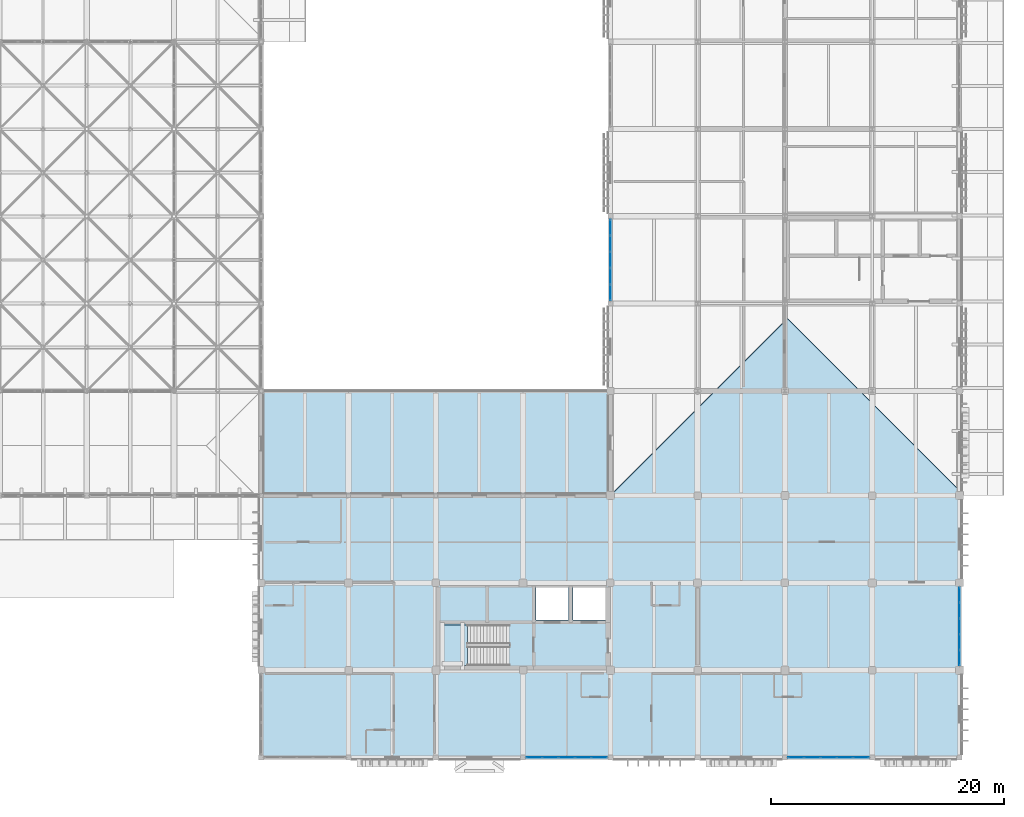
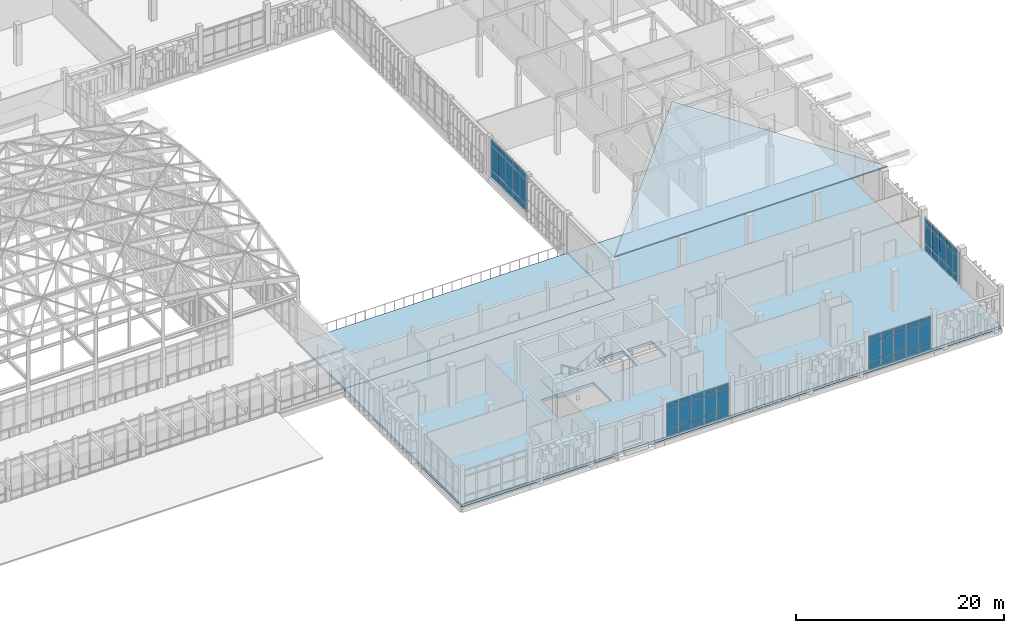
# One storey, part 91 of 131: 60 plates, 4 slabs, 6 elements without a shape of their own.
"""IFC4 building model written with IfcOpenShell, lengths in metres."""

from ifc_helpers import new_model, si_unit, direction, frame, origin, origin_2d, place, context, subcontext, project, spatial, polyline, rectangle, outline, extrude, material, layer, layer_set, type_object, element, aggregate, save


model = new_model("IFC4")

# Units and contexts
model_context = context("Model", 3, precision=1e-05, world=origin(), true_north=direction((0.0, 1.0)))
body_context = subcontext(model_context, "Body", "Model", "MODEL_VIEW")
ifc_project = project(units=[si_unit("LENGTHUNIT", "METRE"), si_unit("AREAUNIT", "SQUARE_METRE"), si_unit("VOLUMEUNIT", "CUBIC_METRE"), si_unit("PLANEANGLEUNIT", "RADIAN"), si_unit("MASSUNIT", "GRAM", prefix="KILO")], contexts=[model_context])

# Site, building, storey
site_placement = place(None, origin())
site = spatial("IfcSite", under=ifc_project, at=site_placement, CompositionType="ELEMENT")
building_placement = place(site_placement, origin())
building = spatial("IfcBuilding", under=site, at=building_placement, Name="Dalvernix Boulevard General Hospital", CompositionType="ELEMENT")
storey_placement = place(building_placement, frame((0.0, 0.0, 9.300048828125)))
storey = spatial("IfcBuildingStorey", under=building, at=storey_placement, Name="L02", CompositionType="ELEMENT", Elevation=9.300048828125)

# Curtain wall, plates
ifc_material_1 = material(Name="Thermally broken aluminium and solar-control glass curtain wall", Category="aluminium")
ifc_layer_1 = layer(ifc_material_1, 0.199951171875)
ifc_layer_set_1 = layer_set([ifc_layer_1], Name="Thermally broken aluminium and solar-control glass curtain wall (CW-CW-C-70x40)")
curtain_wall_type_1 = type_object("IfcCurtainWallType", Name="CW-CW-C-70x40", PredefinedType="USERDEFINED", material=ifc_layer_set_1)
curtain_wall_1_placement = place(storey_placement, origin())
curtain_wall_1 = element("IfcCurtainWall", 1, at=curtain_wall_1_placement, inside=storey, type_object=curtain_wall_type_1, Name="L02 curtain wall CW-C-70x40 18-0", ObjectType="GLAZED FACADE", PredefinedType="USERDEFINED")
ifc_material_2 = material(Name="Double-glazed solar-control low-emissivity glass", Category="glass")
ifc_layer_2 = layer(ifc_material_2, 0.035888671875)
ifc_layer_set_2 = layer_set([ifc_layer_2], Name="Double-glazed solar-control low-emissivity glass (PLT-CW-P3)")
plate_type = type_object("IfcPlateType", Name="PLT-CW-P3", PredefinedType="CURTAIN_PANEL", material=ifc_layer_set_2)
plate_1_placement = place(storey_placement, frame((141.54443359375, 0.0, 0.070068359375), z_axis=(0.0, 0.0, 1.0), x_axis=(-1.0, 0.0, 0.0)))
plate_1 = element("IfcPlate", 2, at=plate_1_placement, type_object=plate_type, Name="CW-C-70x40 panel 1.1", PredefinedType="CURTAIN_PANEL", context=body_context, shape_type="SweptSolid", body=[
    extrude(rectangle(XDim=1.301025390625, YDim=0.035888671875, at=origin_2d()), origin(), (0.0, 0.0, 1.0), 0.794921875),
])
plate_2_placement = place(storey_placement, frame((141.54443359375, 0.0, 0.93505859375), z_axis=(0.0, 0.0, 1.0), x_axis=(-1.0, 0.0, 0.0)))
plate_2 = element("IfcPlate", 3, at=plate_2_placement, type_object=plate_type, Name="CW-C-70x40 panel 1.2", PredefinedType="CURTAIN_PANEL", context=body_context, shape_type="SweptSolid", body=[
    extrude(rectangle(XDim=1.301025390625, YDim=0.035888671875, at=origin_2d()), origin(), (0.0, 0.0, 1.0), 2.22998046875),
])
plate_3_placement = place(storey_placement, frame((141.54443359375, 0.0, 3.23486328125), z_axis=(0.0, 0.0, 1.0), x_axis=(-1.0, 0.0, 0.0)))
plate_3 = element("IfcPlate", 4, at=plate_3_placement, type_object=plate_type, Name="CW-C-70x40 panel 1.3", PredefinedType="CURTAIN_PANEL", context=body_context, shape_type="SweptSolid", body=[
    extrude(rectangle(XDim=1.301025390625, YDim=0.035888671875, at=origin_2d()), origin(), (0.0, 0.0, 1.0), 0.64501953125),
])
plate_4_placement = place(storey_placement, frame((140.156005859375, 0.0, 0.070068359375), z_axis=(0.0, 0.0, 1.0), x_axis=(-1.0, 0.0, 0.0)))
plate_4 = element("IfcPlate", 5, at=plate_4_placement, type_object=plate_type, Name="CW-C-70x40 panel 2.1", PredefinedType="CURTAIN_PANEL", context=body_context, shape_type="SweptSolid", body=[
    extrude(rectangle(XDim=1.3359375, YDim=0.035888671875, at=origin_2d()), origin(), (0.0, 0.0, 1.0), 0.794921875),
])
plate_5_placement = place(storey_placement, frame((140.156005859375, 0.0, 0.93505859375), z_axis=(0.0, 0.0, 1.0), x_axis=(-1.0, 0.0, 0.0)))
plate_5 = element("IfcPlate", 6, at=plate_5_placement, type_object=plate_type, Name="CW-C-70x40 panel 2.2", PredefinedType="CURTAIN_PANEL", context=body_context, shape_type="SweptSolid", body=[
    extrude(rectangle(XDim=1.3359375, YDim=0.035888671875, at=origin_2d()), origin(), (0.0, 0.0, 1.0), 2.22998046875),
])
plate_6_placement = place(storey_placement, frame((140.156005859375, 0.0, 3.23486328125), z_axis=(0.0, 0.0, 1.0), x_axis=(-1.0, 0.0, 0.0)))
plate_6 = element("IfcPlate", 7, at=plate_6_placement, type_object=plate_type, Name="CW-C-70x40 panel 2.3", PredefinedType="CURTAIN_PANEL", context=body_context, shape_type="SweptSolid", body=[
    extrude(rectangle(XDim=1.3359375, YDim=0.035888671875, at=origin_2d()), origin(), (0.0, 0.0, 1.0), 0.64501953125),
])
plate_7_placement = place(storey_placement, frame((138.75, 0.0, 0.070068359375), z_axis=(0.0, 0.0, 1.0), x_axis=(-1.0, 0.0, 0.0)))
plate_7 = element("IfcPlate", 8, at=plate_7_placement, type_object=plate_type, Name="CW-C-70x40 panel 3.1", PredefinedType="CURTAIN_PANEL", context=body_context, shape_type="SweptSolid", body=[
    extrude(rectangle(XDim=1.3359375, YDim=0.035888671875, at=origin_2d()), origin(), (0.0, 0.0, 1.0), 0.794921875),
])
plate_8_placement = place(storey_placement, frame((138.75, 0.0, 0.93505859375), z_axis=(0.0, 0.0, 1.0), x_axis=(-1.0, 0.0, 0.0)))
plate_8 = element("IfcPlate", 9, at=plate_8_placement, type_object=plate_type, Name="CW-C-70x40 panel 3.2", PredefinedType="CURTAIN_PANEL", context=body_context, shape_type="SweptSolid", body=[
    extrude(rectangle(XDim=1.3359375, YDim=0.035888671875, at=origin_2d()), origin(), (0.0, 0.0, 1.0), 2.22998046875),
])
plate_9_placement = place(storey_placement, frame((138.75, 0.0, 3.23486328125), z_axis=(0.0, 0.0, 1.0), x_axis=(-1.0, 0.0, 0.0)))
plate_9 = element("IfcPlate", 10, at=plate_9_placement, type_object=plate_type, Name="CW-C-70x40 panel 3.3", PredefinedType="CURTAIN_PANEL", context=body_context, shape_type="SweptSolid", body=[
    extrude(rectangle(XDim=1.3359375, YDim=0.035888671875, at=origin_2d()), origin(), (0.0, 0.0, 1.0), 0.64501953125),
])
plate_10_placement = place(storey_placement, frame((137.343994140625, 0.0, 0.070068359375), z_axis=(0.0, 0.0, 1.0), x_axis=(-1.0, 0.0, 0.0)))
plate_10 = element("IfcPlate", 11, at=plate_10_placement, type_object=plate_type, Name="CW-C-70x40 panel 4.1", PredefinedType="CURTAIN_PANEL", context=body_context, shape_type="SweptSolid", body=[
    extrude(rectangle(XDim=1.3359375, YDim=0.035888671875, at=origin_2d()), origin(), (0.0, 0.0, 1.0), 0.794921875),
])
plate_11_placement = place(storey_placement, frame((137.343994140625, 0.0, 0.93505859375), z_axis=(0.0, 0.0, 1.0), x_axis=(-1.0, 0.0, 0.0)))
plate_11 = element("IfcPlate", 12, at=plate_11_placement, type_object=plate_type, Name="CW-C-70x40 panel 4.2", PredefinedType="CURTAIN_PANEL", context=body_context, shape_type="SweptSolid", body=[
    extrude(rectangle(XDim=1.3359375, YDim=0.035888671875, at=origin_2d()), origin(), (0.0, 0.0, 1.0), 2.22998046875),
])
plate_12_placement = place(storey_placement, frame((137.343994140625, 0.0, 3.23486328125), z_axis=(0.0, 0.0, 1.0), x_axis=(-1.0, 0.0, 0.0)))
plate_12 = element("IfcPlate", 13, at=plate_12_placement, type_object=plate_type, Name="CW-C-70x40 panel 4.3", PredefinedType="CURTAIN_PANEL", context=body_context, shape_type="SweptSolid", body=[
    extrude(rectangle(XDim=1.3359375, YDim=0.035888671875, at=origin_2d()), origin(), (0.0, 0.0, 1.0), 0.64501953125),
])
plate_13_placement = place(storey_placement, frame((135.95556640625, 0.0, 0.070068359375), z_axis=(0.0, 0.0, 1.0), x_axis=(-1.0, 0.0, 0.0)))
plate_13 = element("IfcPlate", 14, at=plate_13_placement, type_object=plate_type, Name="CW-C-70x40 panel 5.1", PredefinedType="CURTAIN_PANEL", context=body_context, shape_type="SweptSolid", body=[
    extrude(rectangle(XDim=1.301025390625, YDim=0.035888671875, at=origin_2d()), origin(), (0.0, 0.0, 1.0), 0.794921875),
])
plate_14_placement = place(storey_placement, frame((135.95556640625, 0.0, 0.93505859375), z_axis=(0.0, 0.0, 1.0), x_axis=(-1.0, 0.0, 0.0)))
plate_14 = element("IfcPlate", 15, at=plate_14_placement, type_object=plate_type, Name="CW-C-70x40 panel 5.2", PredefinedType="CURTAIN_PANEL", context=body_context, shape_type="SweptSolid", body=[
    extrude(rectangle(XDim=1.301025390625, YDim=0.035888671875, at=origin_2d()), origin(), (0.0, 0.0, 1.0), 2.22998046875),
])
plate_15_placement = place(storey_placement, frame((135.95556640625, 0.0, 3.23486328125), z_axis=(0.0, 0.0, 1.0), x_axis=(-1.0, 0.0, 0.0)))
plate_15 = element("IfcPlate", 16, at=plate_15_placement, type_object=plate_type, Name="CW-C-70x40 panel 5.3", PredefinedType="CURTAIN_PANEL", context=body_context, shape_type="SweptSolid", body=[
    extrude(rectangle(XDim=1.301025390625, YDim=0.035888671875, at=origin_2d()), origin(), (0.0, 0.0, 1.0), 0.64501953125),
])
aggregate(curtain_wall_1, [plate_1, plate_2, plate_3, plate_4, plate_5, plate_6, plate_7, plate_8, plate_9, plate_10, plate_11, plate_12, plate_13, plate_14, plate_15])

ifc_layer_3 = layer(ifc_material_1, 0.199951171875)
ifc_layer_set_3 = layer_set([ifc_layer_3], Name="Thermally broken aluminium and solar-control glass curtain wall (CW-CW-C-70x46)")
curtain_wall_type_2 = type_object("IfcCurtainWallType", Name="CW-CW-C-70x46", PredefinedType="USERDEFINED", material=ifc_layer_set_3)
curtain_wall_2_placement = place(storey_placement, origin())
curtain_wall_2 = element("IfcCurtainWall", 17, at=curtain_wall_2_placement, inside=storey, type_object=curtain_wall_type_2, Name="L02 curtain wall CW-C-70x46 19-5", ObjectType="GLAZED FACADE", PredefinedType="USERDEFINED")
plate_16_placement = place(storey_placement, frame((142.5, 39.95556640625, 0.070068359375), z_axis=(0.0, 0.0, 1.0), x_axis=(0.0, 1.0, 0.0)))
plate_16 = element("IfcPlate", 18, at=plate_16_placement, type_object=plate_type, Name="CW-C-70x46 panel 1.1", PredefinedType="CURTAIN_PANEL", context=body_context, shape_type="SweptSolid", body=[
    extrude(rectangle(XDim=1.301025390625, YDim=0.035888671875, at=origin_2d()), origin(), (0.0, 0.0, 1.0), 0.794921875),
])
plate_17_placement = place(storey_placement, frame((142.5, 39.95556640625, 0.934814453125), z_axis=(0.0, 0.0, 1.0), x_axis=(0.0, 1.0, 0.0)))
plate_17 = element("IfcPlate", 19, at=plate_17_placement, type_object=plate_type, Name="CW-C-70x46 panel 1.2", PredefinedType="CURTAIN_PANEL", context=body_context, shape_type="SweptSolid", body=[
    extrude(rectangle(XDim=1.301025390625, YDim=0.035888671875, at=origin_2d()), origin(), (0.0, 0.0, 1.0), 2.830078125),
])
plate_18_placement = place(storey_placement, frame((142.5, 39.95556640625, 3.8349609375), z_axis=(0.0, 0.0, 1.0), x_axis=(0.0, 1.0, 0.0)))
plate_18 = element("IfcPlate", 20, at=plate_18_placement, type_object=plate_type, Name="CW-C-70x46 panel 1.3", PredefinedType="CURTAIN_PANEL", context=body_context, shape_type="SweptSolid", body=[
    extrude(rectangle(XDim=1.301025390625, YDim=0.035888671875, at=origin_2d()), origin(), (0.0, 0.0, 1.0), 0.64501953125),
])
plate_19_placement = place(storey_placement, frame((142.5, 41.343994140625, 0.070068359375), z_axis=(0.0, 0.0, 1.0), x_axis=(0.0, 1.0, 0.0)))
plate_19 = element("IfcPlate", 21, at=plate_19_placement, type_object=plate_type, Name="CW-C-70x46 panel 2.1", PredefinedType="CURTAIN_PANEL", context=body_context, shape_type="SweptSolid", body=[
    extrude(rectangle(XDim=1.3359375, YDim=0.035888671875, at=origin_2d()), origin(), (0.0, 0.0, 1.0), 0.794921875),
])
plate_20_placement = place(storey_placement, frame((142.5, 41.343994140625, 0.934814453125), z_axis=(0.0, 0.0, 1.0), x_axis=(0.0, 1.0, 0.0)))
plate_20 = element("IfcPlate", 22, at=plate_20_placement, type_object=plate_type, Name="CW-C-70x46 panel 2.2", PredefinedType="CURTAIN_PANEL", context=body_context, shape_type="SweptSolid", body=[
    extrude(rectangle(XDim=1.3359375, YDim=0.035888671875, at=origin_2d()), origin(), (0.0, 0.0, 1.0), 2.830078125),
])
plate_21_placement = place(storey_placement, frame((142.5, 41.343994140625, 3.8349609375), z_axis=(0.0, 0.0, 1.0), x_axis=(0.0, 1.0, 0.0)))
plate_21 = element("IfcPlate", 23, at=plate_21_placement, type_object=plate_type, Name="CW-C-70x46 panel 2.3", PredefinedType="CURTAIN_PANEL", context=body_context, shape_type="SweptSolid", body=[
    extrude(rectangle(XDim=1.3359375, YDim=0.035888671875, at=origin_2d()), origin(), (0.0, 0.0, 1.0), 0.64501953125),
])
plate_22_placement = place(storey_placement, frame((142.5, 42.75, 0.070068359375), z_axis=(0.0, 0.0, 1.0), x_axis=(0.0, 1.0, 0.0)))
plate_22 = element("IfcPlate", 24, at=plate_22_placement, type_object=plate_type, Name="CW-C-70x46 panel 3.1", PredefinedType="CURTAIN_PANEL", context=body_context, shape_type="SweptSolid", body=[
    extrude(rectangle(XDim=1.3359375, YDim=0.035888671875, at=origin_2d()), origin(), (0.0, 0.0, 1.0), 0.794921875),
])
plate_23_placement = place(storey_placement, frame((142.5, 42.75, 0.934814453125), z_axis=(0.0, 0.0, 1.0), x_axis=(0.0, 1.0, 0.0)))
plate_23 = element("IfcPlate", 25, at=plate_23_placement, type_object=plate_type, Name="CW-C-70x46 panel 3.2", PredefinedType="CURTAIN_PANEL", context=body_context, shape_type="SweptSolid", body=[
    extrude(rectangle(XDim=1.3359375, YDim=0.035888671875, at=origin_2d()), origin(), (0.0, 0.0, 1.0), 2.830078125),
])
plate_24_placement = place(storey_placement, frame((142.5, 42.75, 3.8349609375), z_axis=(0.0, 0.0, 1.0), x_axis=(0.0, 1.0, 0.0)))
plate_24 = element("IfcPlate", 26, at=plate_24_placement, type_object=plate_type, Name="CW-C-70x46 panel 3.3", PredefinedType="CURTAIN_PANEL", context=body_context, shape_type="SweptSolid", body=[
    extrude(rectangle(XDim=1.3359375, YDim=0.035888671875, at=origin_2d()), origin(), (0.0, 0.0, 1.0), 0.64501953125),
])
plate_25_placement = place(storey_placement, frame((142.5, 44.156005859375, 0.070068359375), z_axis=(0.0, 0.0, 1.0), x_axis=(0.0, 1.0, 0.0)))
plate_25 = element("IfcPlate", 27, at=plate_25_placement, type_object=plate_type, Name="CW-C-70x46 panel 4.1", PredefinedType="CURTAIN_PANEL", context=body_context, shape_type="SweptSolid", body=[
    extrude(rectangle(XDim=1.3359375, YDim=0.035888671875, at=origin_2d()), origin(), (0.0, 0.0, 1.0), 0.794921875),
])
plate_26_placement = place(storey_placement, frame((142.5, 44.156005859375, 0.934814453125), z_axis=(0.0, 0.0, 1.0), x_axis=(0.0, 1.0, 0.0)))
plate_26 = element("IfcPlate", 28, at=plate_26_placement, type_object=plate_type, Name="CW-C-70x46 panel 4.2", PredefinedType="CURTAIN_PANEL", context=body_context, shape_type="SweptSolid", body=[
    extrude(rectangle(XDim=1.3359375, YDim=0.035888671875, at=origin_2d()), origin(), (0.0, 0.0, 1.0), 2.830078125),
])
plate_27_placement = place(storey_placement, frame((142.5, 44.156005859375, 3.8349609375), z_axis=(0.0, 0.0, 1.0), x_axis=(0.0, 1.0, 0.0)))
plate_27 = element("IfcPlate", 29, at=plate_27_placement, type_object=plate_type, Name="CW-C-70x46 panel 4.3", PredefinedType="CURTAIN_PANEL", context=body_context, shape_type="SweptSolid", body=[
    extrude(rectangle(XDim=1.3359375, YDim=0.035888671875, at=origin_2d()), origin(), (0.0, 0.0, 1.0), 0.64501953125),
])
plate_28_placement = place(storey_placement, frame((142.5, 45.54443359375, 0.070068359375), z_axis=(0.0, 0.0, 1.0), x_axis=(0.0, 1.0, 0.0)))
plate_28 = element("IfcPlate", 30, at=plate_28_placement, type_object=plate_type, Name="CW-C-70x46 panel 5.1", PredefinedType="CURTAIN_PANEL", context=body_context, shape_type="SweptSolid", body=[
    extrude(rectangle(XDim=1.301025390625, YDim=0.035888671875, at=origin_2d()), origin(), (0.0, 0.0, 1.0), 0.794921875),
])
plate_29_placement = place(storey_placement, frame((142.5, 45.54443359375, 0.934814453125), z_axis=(0.0, 0.0, 1.0), x_axis=(0.0, 1.0, 0.0)))
plate_29 = element("IfcPlate", 31, at=plate_29_placement, type_object=plate_type, Name="CW-C-70x46 panel 5.2", PredefinedType="CURTAIN_PANEL", context=body_context, shape_type="SweptSolid", body=[
    extrude(rectangle(XDim=1.301025390625, YDim=0.035888671875, at=origin_2d()), origin(), (0.0, 0.0, 1.0), 2.830078125),
])
plate_30_placement = place(storey_placement, frame((142.5, 45.54443359375, 3.8349609375), z_axis=(0.0, 0.0, 1.0), x_axis=(0.0, 1.0, 0.0)))
plate_30 = element("IfcPlate", 32, at=plate_30_placement, type_object=plate_type, Name="CW-C-70x46 panel 5.3", PredefinedType="CURTAIN_PANEL", context=body_context, shape_type="SweptSolid", body=[
    extrude(rectangle(XDim=1.301025390625, YDim=0.035888671875, at=origin_2d()), origin(), (0.0, 0.0, 1.0), 0.64501953125),
])
aggregate(curtain_wall_2, [plate_16, plate_17, plate_18, plate_19, plate_20, plate_21, plate_22, plate_23, plate_24, plate_25, plate_26, plate_27, plate_28, plate_29, plate_30])

curtain_wall_3_placement = place(storey_placement, origin())
curtain_wall_3 = element("IfcCurtainWall", 33, at=curtain_wall_3_placement, inside=storey, type_object=curtain_wall_type_1, Name="L02 curtain wall CW-C-70x40 21-0", ObjectType="GLAZED FACADE", PredefinedType="USERDEFINED")
plate_31_placement = place(storey_placement, frame((164.04443359375, 0.0, 0.070068359375), z_axis=(0.0, 0.0, 1.0), x_axis=(-1.0, 0.0, 0.0)))
plate_31 = element("IfcPlate", 34, at=plate_31_placement, type_object=plate_type, Name="CW-C-70x40 panel 1.1", PredefinedType="CURTAIN_PANEL", context=body_context, shape_type="SweptSolid", body=[
    extrude(rectangle(XDim=1.301025390625, YDim=0.035888671875, at=origin_2d()), origin(), (0.0, 0.0, 1.0), 0.794921875),
])
plate_32_placement = place(storey_placement, frame((164.04443359375, 0.0, 0.93505859375), z_axis=(0.0, 0.0, 1.0), x_axis=(-1.0, 0.0, 0.0)))
plate_32 = element("IfcPlate", 35, at=plate_32_placement, type_object=plate_type, Name="CW-C-70x40 panel 1.2", PredefinedType="CURTAIN_PANEL", context=body_context, shape_type="SweptSolid", body=[
    extrude(rectangle(XDim=1.301025390625, YDim=0.035888671875, at=origin_2d()), origin(), (0.0, 0.0, 1.0), 2.22998046875),
])
plate_33_placement = place(storey_placement, frame((164.04443359375, 0.0, 3.23486328125), z_axis=(0.0, 0.0, 1.0), x_axis=(-1.0, 0.0, 0.0)))
plate_33 = element("IfcPlate", 36, at=plate_33_placement, type_object=plate_type, Name="CW-C-70x40 panel 1.3", PredefinedType="CURTAIN_PANEL", context=body_context, shape_type="SweptSolid", body=[
    extrude(rectangle(XDim=1.301025390625, YDim=0.035888671875, at=origin_2d()), origin(), (0.0, 0.0, 1.0), 0.64501953125),
])
plate_34_placement = place(storey_placement, frame((162.656005859375, 0.0, 0.070068359375), z_axis=(0.0, 0.0, 1.0), x_axis=(-1.0, 0.0, 0.0)))
plate_34 = element("IfcPlate", 37, at=plate_34_placement, type_object=plate_type, Name="CW-C-70x40 panel 2.1", PredefinedType="CURTAIN_PANEL", context=body_context, shape_type="SweptSolid", body=[
    extrude(rectangle(XDim=1.3359375, YDim=0.035888671875, at=origin_2d()), origin(), (0.0, 0.0, 1.0), 0.794921875),
])
plate_35_placement = place(storey_placement, frame((162.656005859375, 0.0, 0.93505859375), z_axis=(0.0, 0.0, 1.0), x_axis=(-1.0, 0.0, 0.0)))
plate_35 = element("IfcPlate", 38, at=plate_35_placement, type_object=plate_type, Name="CW-C-70x40 panel 2.2", PredefinedType="CURTAIN_PANEL", context=body_context, shape_type="SweptSolid", body=[
    extrude(rectangle(XDim=1.3359375, YDim=0.035888671875, at=origin_2d()), origin(), (0.0, 0.0, 1.0), 2.22998046875),
])
plate_36_placement = place(storey_placement, frame((162.656005859375, 0.0, 3.23486328125), z_axis=(0.0, 0.0, 1.0), x_axis=(-1.0, 0.0, 0.0)))
plate_36 = element("IfcPlate", 39, at=plate_36_placement, type_object=plate_type, Name="CW-C-70x40 panel 2.3", PredefinedType="CURTAIN_PANEL", context=body_context, shape_type="SweptSolid", body=[
    extrude(rectangle(XDim=1.3359375, YDim=0.035888671875, at=origin_2d()), origin(), (0.0, 0.0, 1.0), 0.64501953125),
])
plate_37_placement = place(storey_placement, frame((161.25, 0.0, 0.070068359375), z_axis=(0.0, 0.0, 1.0), x_axis=(-1.0, 0.0, 0.0)))
plate_37 = element("IfcPlate", 40, at=plate_37_placement, type_object=plate_type, Name="CW-C-70x40 panel 3.1", PredefinedType="CURTAIN_PANEL", context=body_context, shape_type="SweptSolid", body=[
    extrude(rectangle(XDim=1.3359375, YDim=0.035888671875, at=origin_2d()), origin(), (0.0, 0.0, 1.0), 0.794921875),
])
plate_38_placement = place(storey_placement, frame((161.25, 0.0, 0.93505859375), z_axis=(0.0, 0.0, 1.0), x_axis=(-1.0, 0.0, 0.0)))
plate_38 = element("IfcPlate", 41, at=plate_38_placement, type_object=plate_type, Name="CW-C-70x40 panel 3.2", PredefinedType="CURTAIN_PANEL", context=body_context, shape_type="SweptSolid", body=[
    extrude(rectangle(XDim=1.3359375, YDim=0.035888671875, at=origin_2d()), origin(), (0.0, 0.0, 1.0), 2.22998046875),
])
plate_39_placement = place(storey_placement, frame((161.25, 0.0, 3.23486328125), z_axis=(0.0, 0.0, 1.0), x_axis=(-1.0, 0.0, 0.0)))
plate_39 = element("IfcPlate", 42, at=plate_39_placement, type_object=plate_type, Name="CW-C-70x40 panel 3.3", PredefinedType="CURTAIN_PANEL", context=body_context, shape_type="SweptSolid", body=[
    extrude(rectangle(XDim=1.3359375, YDim=0.035888671875, at=origin_2d()), origin(), (0.0, 0.0, 1.0), 0.64501953125),
])
plate_40_placement = place(storey_placement, frame((159.843994140625, 0.0, 0.070068359375), z_axis=(0.0, 0.0, 1.0), x_axis=(-1.0, 0.0, 0.0)))
plate_40 = element("IfcPlate", 43, at=plate_40_placement, type_object=plate_type, Name="CW-C-70x40 panel 4.1", PredefinedType="CURTAIN_PANEL", context=body_context, shape_type="SweptSolid", body=[
    extrude(rectangle(XDim=1.3359375, YDim=0.035888671875, at=origin_2d()), origin(), (0.0, 0.0, 1.0), 0.794921875),
])
plate_41_placement = place(storey_placement, frame((159.843994140625, 0.0, 0.93505859375), z_axis=(0.0, 0.0, 1.0), x_axis=(-1.0, 0.0, 0.0)))
plate_41 = element("IfcPlate", 44, at=plate_41_placement, type_object=plate_type, Name="CW-C-70x40 panel 4.2", PredefinedType="CURTAIN_PANEL", context=body_context, shape_type="SweptSolid", body=[
    extrude(rectangle(XDim=1.3359375, YDim=0.035888671875, at=origin_2d()), origin(), (0.0, 0.0, 1.0), 2.22998046875),
])
plate_42_placement = place(storey_placement, frame((159.843994140625, 0.0, 3.23486328125), z_axis=(0.0, 0.0, 1.0), x_axis=(-1.0, 0.0, 0.0)))
plate_42 = element("IfcPlate", 45, at=plate_42_placement, type_object=plate_type, Name="CW-C-70x40 panel 4.3", PredefinedType="CURTAIN_PANEL", context=body_context, shape_type="SweptSolid", body=[
    extrude(rectangle(XDim=1.3359375, YDim=0.035888671875, at=origin_2d()), origin(), (0.0, 0.0, 1.0), 0.64501953125),
])
plate_43_placement = place(storey_placement, frame((158.45556640625, 0.0, 0.070068359375), z_axis=(0.0, 0.0, 1.0), x_axis=(-1.0, 0.0, 0.0)))
plate_43 = element("IfcPlate", 46, at=plate_43_placement, type_object=plate_type, Name="CW-C-70x40 panel 5.1", PredefinedType="CURTAIN_PANEL", context=body_context, shape_type="SweptSolid", body=[
    extrude(rectangle(XDim=1.301025390625, YDim=0.035888671875, at=origin_2d()), origin(), (0.0, 0.0, 1.0), 0.794921875),
])
plate_44_placement = place(storey_placement, frame((158.45556640625, 0.0, 0.93505859375), z_axis=(0.0, 0.0, 1.0), x_axis=(-1.0, 0.0, 0.0)))
plate_44 = element("IfcPlate", 47, at=plate_44_placement, type_object=plate_type, Name="CW-C-70x40 panel 5.2", PredefinedType="CURTAIN_PANEL", context=body_context, shape_type="SweptSolid", body=[
    extrude(rectangle(XDim=1.301025390625, YDim=0.035888671875, at=origin_2d()), origin(), (0.0, 0.0, 1.0), 2.22998046875),
])
plate_45_placement = place(storey_placement, frame((158.45556640625, 0.0, 3.23486328125), z_axis=(0.0, 0.0, 1.0), x_axis=(-1.0, 0.0, 0.0)))
plate_45 = element("IfcPlate", 48, at=plate_45_placement, type_object=plate_type, Name="CW-C-70x40 panel 5.3", PredefinedType="CURTAIN_PANEL", context=body_context, shape_type="SweptSolid", body=[
    extrude(rectangle(XDim=1.301025390625, YDim=0.035888671875, at=origin_2d()), origin(), (0.0, 0.0, 1.0), 0.64501953125),
])
aggregate(curtain_wall_3, [plate_31, plate_32, plate_33, plate_34, plate_35, plate_36, plate_37, plate_38, plate_39, plate_40, plate_41, plate_42, plate_43, plate_44, plate_45])

ifc_layer_4 = layer(ifc_material_1, 0.199951171875)
ifc_layer_set_4 = layer_set([ifc_layer_4], Name="Thermally broken aluminium and solar-control glass curtain wall (CW-CW-C-68x40)")
curtain_wall_type_3 = type_object("IfcCurtainWallType", Name="CW-CW-C-68x40", PredefinedType="USERDEFINED", material=ifc_layer_set_4)
curtain_wall_4_placement = place(storey_placement, origin())
curtain_wall_4 = element("IfcCurtainWall", 49, at=curtain_wall_4_placement, inside=storey, type_object=curtain_wall_type_3, Name="L02 curtain wall CW-C-68x40 23-1", ObjectType="GLAZED FACADE", PredefinedType="USERDEFINED")
plate_46_placement = place(storey_placement, frame((172.5, 13.967041015625, 0.070068359375), z_axis=(0.0, 0.0, 1.0), x_axis=(0.0, -1.0, 0.0)))
plate_46 = element("IfcPlate", 50, at=plate_46_placement, type_object=plate_type, Name="CW-C-68x40 panel 1.1", PredefinedType="CURTAIN_PANEL", context=body_context, shape_type="SweptSolid", body=[
    extrude(rectangle(XDim=1.256103515625, YDim=0.035888671875, at=origin_2d()), origin(), (0.0, 0.0, 1.0), 0.794921875),
])
plate_47_placement = place(storey_placement, frame((172.5, 13.967041015625, 0.93505859375), z_axis=(0.0, 0.0, 1.0), x_axis=(0.0, -1.0, 0.0)))
plate_47 = element("IfcPlate", 51, at=plate_47_placement, type_object=plate_type, Name="CW-C-68x40 panel 1.2", PredefinedType="CURTAIN_PANEL", context=body_context, shape_type="SweptSolid", body=[
    extrude(rectangle(XDim=1.256103515625, YDim=0.035888671875, at=origin_2d()), origin(), (0.0, 0.0, 1.0), 2.22998046875),
])
plate_48_placement = place(storey_placement, frame((172.5, 13.967041015625, 3.23486328125), z_axis=(0.0, 0.0, 1.0), x_axis=(0.0, -1.0, 0.0)))
plate_48 = element("IfcPlate", 52, at=plate_48_placement, type_object=plate_type, Name="CW-C-68x40 panel 1.3", PredefinedType="CURTAIN_PANEL", context=body_context, shape_type="SweptSolid", body=[
    extrude(rectangle(XDim=1.256103515625, YDim=0.035888671875, at=origin_2d()), origin(), (0.0, 0.0, 1.0), 0.64501953125),
])
plate_49_placement = place(storey_placement, frame((172.5, 12.62353515625, 0.070068359375), z_axis=(0.0, 0.0, 1.0), x_axis=(0.0, -1.0, 0.0)))
plate_49 = element("IfcPlate", 53, at=plate_49_placement, type_object=plate_type, Name="CW-C-68x40 panel 2.1", PredefinedType="CURTAIN_PANEL", context=body_context, shape_type="SweptSolid", body=[
    extrude(rectangle(XDim=1.291015625, YDim=0.035888671875, at=origin_2d()), origin(), (0.0, 0.0, 1.0), 0.794921875),
])
plate_50_placement = place(storey_placement, frame((172.5, 12.62353515625, 0.93505859375), z_axis=(0.0, 0.0, 1.0), x_axis=(0.0, -1.0, 0.0)))
plate_50 = element("IfcPlate", 54, at=plate_50_placement, type_object=plate_type, Name="CW-C-68x40 panel 2.2", PredefinedType="CURTAIN_PANEL", context=body_context, shape_type="SweptSolid", body=[
    extrude(rectangle(XDim=1.291015625, YDim=0.035888671875, at=origin_2d()), origin(), (0.0, 0.0, 1.0), 2.22998046875),
])
plate_51_placement = place(storey_placement, frame((172.5, 12.62353515625, 3.23486328125), z_axis=(0.0, 0.0, 1.0), x_axis=(0.0, -1.0, 0.0)))
plate_51 = element("IfcPlate", 55, at=plate_51_placement, type_object=plate_type, Name="CW-C-68x40 panel 2.3", PredefinedType="CURTAIN_PANEL", context=body_context, shape_type="SweptSolid", body=[
    extrude(rectangle(XDim=1.291015625, YDim=0.035888671875, at=origin_2d()), origin(), (0.0, 0.0, 1.0), 0.64501953125),
])
plate_52_placement = place(storey_placement, frame((172.5, 11.262451171875, 0.070068359375), z_axis=(0.0, 0.0, 1.0), x_axis=(0.0, -1.0, 0.0)))
plate_52 = element("IfcPlate", 56, at=plate_52_placement, type_object=plate_type, Name="CW-C-68x40 panel 3.1", PredefinedType="CURTAIN_PANEL", context=body_context, shape_type="SweptSolid", body=[
    extrude(rectangle(XDim=1.291015625, YDim=0.035888671875, at=origin_2d()), origin(), (0.0, 0.0, 1.0), 0.794921875),
])
plate_53_placement = place(storey_placement, frame((172.5, 11.262451171875, 0.93505859375), z_axis=(0.0, 0.0, 1.0), x_axis=(0.0, -1.0, 0.0)))
plate_53 = element("IfcPlate", 57, at=plate_53_placement, type_object=plate_type, Name="CW-C-68x40 panel 3.2", PredefinedType="CURTAIN_PANEL", context=body_context, shape_type="SweptSolid", body=[
    extrude(rectangle(XDim=1.291015625, YDim=0.035888671875, at=origin_2d()), origin(), (0.0, 0.0, 1.0), 2.22998046875),
])
plate_54_placement = place(storey_placement, frame((172.5, 11.262451171875, 3.23486328125), z_axis=(0.0, 0.0, 1.0), x_axis=(0.0, -1.0, 0.0)))
plate_54 = element("IfcPlate", 58, at=plate_54_placement, type_object=plate_type, Name="CW-C-68x40 panel 3.3", PredefinedType="CURTAIN_PANEL", context=body_context, shape_type="SweptSolid", body=[
    extrude(rectangle(XDim=1.291015625, YDim=0.035888671875, at=origin_2d()), origin(), (0.0, 0.0, 1.0), 0.64501953125),
])
plate_55_placement = place(storey_placement, frame((172.5, 9.901611328125, 0.070068359375), z_axis=(0.0, 0.0, 1.0), x_axis=(0.0, -1.0, 0.0)))
plate_55 = element("IfcPlate", 59, at=plate_55_placement, type_object=plate_type, Name="CW-C-68x40 panel 4.1", PredefinedType="CURTAIN_PANEL", context=body_context, shape_type="SweptSolid", body=[
    extrude(rectangle(XDim=1.291015625, YDim=0.035888671875, at=origin_2d()), origin(), (0.0, 0.0, 1.0), 0.794921875),
])
plate_56_placement = place(storey_placement, frame((172.5, 9.901611328125, 0.93505859375), z_axis=(0.0, 0.0, 1.0), x_axis=(0.0, -1.0, 0.0)))
plate_56 = element("IfcPlate", 60, at=plate_56_placement, type_object=plate_type, Name="CW-C-68x40 panel 4.2", PredefinedType="CURTAIN_PANEL", context=body_context, shape_type="SweptSolid", body=[
    extrude(rectangle(XDim=1.291015625, YDim=0.035888671875, at=origin_2d()), origin(), (0.0, 0.0, 1.0), 2.22998046875),
])
plate_57_placement = place(storey_placement, frame((172.5, 9.901611328125, 3.23486328125), z_axis=(0.0, 0.0, 1.0), x_axis=(0.0, -1.0, 0.0)))
plate_57 = element("IfcPlate", 61, at=plate_57_placement, type_object=plate_type, Name="CW-C-68x40 panel 4.3", PredefinedType="CURTAIN_PANEL", context=body_context, shape_type="SweptSolid", body=[
    extrude(rectangle(XDim=1.291015625, YDim=0.035888671875, at=origin_2d()), origin(), (0.0, 0.0, 1.0), 0.64501953125),
])
plate_58_placement = place(storey_placement, frame((172.5, 8.55810546875, 0.070068359375), z_axis=(0.0, 0.0, 1.0), x_axis=(0.0, -1.0, 0.0)))
plate_58 = element("IfcPlate", 62, at=plate_58_placement, type_object=plate_type, Name="CW-C-68x40 panel 5.1", PredefinedType="CURTAIN_PANEL", context=body_context, shape_type="SweptSolid", body=[
    extrude(rectangle(XDim=1.256103515625, YDim=0.035888671875, at=origin_2d()), origin(), (0.0, 0.0, 1.0), 0.794921875),
])
plate_59_placement = place(storey_placement, frame((172.5, 8.55810546875, 0.93505859375), z_axis=(0.0, 0.0, 1.0), x_axis=(0.0, -1.0, 0.0)))
plate_59 = element("IfcPlate", 63, at=plate_59_placement, type_object=plate_type, Name="CW-C-68x40 panel 5.2", PredefinedType="CURTAIN_PANEL", context=body_context, shape_type="SweptSolid", body=[
    extrude(rectangle(XDim=1.256103515625, YDim=0.035888671875, at=origin_2d()), origin(), (0.0, 0.0, 1.0), 2.22998046875),
])
plate_60_placement = place(storey_placement, frame((172.5, 8.55810546875, 3.23486328125), z_axis=(0.0, 0.0, 1.0), x_axis=(0.0, -1.0, 0.0)))
plate_60 = element("IfcPlate", 64, at=plate_60_placement, type_object=plate_type, Name="CW-C-68x40 panel 5.3", PredefinedType="CURTAIN_PANEL", context=body_context, shape_type="SweptSolid", body=[
    extrude(rectangle(XDim=1.256103515625, YDim=0.035888671875, at=origin_2d()), origin(), (0.0, 0.0, 1.0), 0.64501953125),
])
aggregate(curtain_wall_4, [plate_46, plate_47, plate_48, plate_49, plate_50, plate_51, plate_52, plate_53, plate_54, plate_55, plate_56, plate_57, plate_58, plate_59, plate_60])

# Slab
ifc_material_3 = material(Name="Concrete C35/45", Category="concrete")
ifc_layer_5 = layer(ifc_material_3, 0.320068359375)
ifc_layer_set_5 = layer_set([ifc_layer_5], Name="Concrete C35/45 (SLB-FS-02)")
slab_type_1 = type_object("IfcSlabType", Name="SLB-FS-02", PredefinedType="FLOOR", material=ifc_layer_set_5)
slab_1_placement = place(storey_placement, frame((0.0, 0.0, -0.320068359375)))
element("IfcSlab", 65, at=slab_1_placement, inside=storey, type_object=slab_type_1, Name="L02 V5 structural floor slab 1", PredefinedType="FLOOR", context=body_context, shape_type="SweptSolid", body=[
    extrude(outline(polyline([(135.0, 22.5), (142.5, 22.5), (142.5, 31.5), (150.0, 31.5), (157.5, 31.5), (165.0, 31.5), (172.5, 31.5), (172.5, 22.5), (172.5, 15.0), (172.5, 7.5), (172.5, 0.0), (165.0, 0.0), (157.5, 0.0), (150.0, 0.0), (142.5, 0.0), (135.0, 0.0), (127.5, 0.0), (120.0, 0.0), (112.5, 0.0), (112.5, 7.5), (112.5, 15.0), (112.5, 22.5), (120.0, 22.5), (127.5, 22.5), (135.0, 22.5)]), holes=[polyline([(127.89990234375, 7.89990234375), (133.7900390625, 7.89990234375), (133.7900390625, 11.39990234375), (127.89990234375, 11.39990234375), (127.89990234375, 7.89990234375)]), polyline([(136.10009765625, 14.60009765625), (136.10009765625, 11.800048828125), (138.89990234375, 11.800048828125), (138.89990234375, 14.60009765625), (136.10009765625, 14.60009765625)]), polyline([(142.10009765625, 14.60009765625), (139.300048828125, 14.60009765625), (139.300048828125, 11.800048828125), (142.10009765625, 11.800048828125), (142.10009765625, 14.60009765625)])]), origin(), (0.0, 0.0, 1.0), 0.320068359375),
])

# Stair, slab
ifc_material_4 = material(Name="Precast concrete C40/50", Category="concrete")
stair_type = type_object("IfcStairType", Name="IFCSTAIR-STC-165x480", PredefinedType="HALF_TURN_STAIR", material=ifc_material_4)
stair_placement = place(storey_placement, origin())
stair = element("IfcStair", 66, at=stair_placement, inside=storey, type_object=stair_type, Name="L02 Core C5 Exit Stair ST-05", PredefinedType="HALF_TURN_STAIR")
ifc_layer_6 = layer(ifc_material_4, 0.199951171875)
ifc_layer_set_6 = layer_set([ifc_layer_6], Name="Precast concrete C40/50 (SLB-LND-01)")
slab_type_2 = type_object("IfcSlabType", Name="SLB-LND-01", PredefinedType="LANDING", material=ifc_layer_set_6)
slab_2_placement = place(storey_placement, frame((0.0, 0.0, 2.199951171875)))
slab_2 = element("IfcSlab", 67, at=slab_2_placement, type_object=slab_type_2, Name="ST-05 landing 1", PredefinedType="LANDING", context=body_context, shape_type="SweptSolid", body=[
    extrude(outline(polyline([(130.2099609375, 11.39990234375), (127.89990234375, 11.39990234375), (127.89990234375, 7.89990234375), (130.2099609375, 7.89990234375), (130.2099609375, 11.39990234375)])), origin(), (0.0, 0.0, 1.0), 0.199951171875),
])
aggregate(stair, [slab_2])

# Roof, slab
ifc_material_5 = material(Name="Polychrome Catalan glazed terracotta tile roof system", Category="masonry")
roof_type = type_object("IfcRoofType", Name="ROOF-HIP-01", PredefinedType="HIP_ROOF", material=ifc_material_5)
roof_placement = place(storey_placement, origin())
roof = element("IfcRoof", 68, at=roof_placement, inside=storey, type_object=roof_type, Name="V2 Hipped Ceramic Roof", PredefinedType="HIP_ROOF")
ifc_layer_7 = layer(ifc_material_3, 0.179931640625)
ifc_layer_set_7 = layer_set([ifc_layer_7], Name="Concrete C35/45 (SLB-RS-03)")
slab_type_3 = type_object("IfcSlabType", Name="SLB-RS-03", PredefinedType="ROOF", material=ifc_layer_set_7)
slab_3_placement = place(storey_placement, frame((142.5, 22.5, 5.02001953125), z_axis=(0.0, -0.238529380826, 0.971135281247), x_axis=(1.0, 0.0, 0.0)))
slab_3 = element("IfcSlab", 69, at=slab_3_placement, type_object=slab_type_3, Name="V2 hipped roof slab S", PredefinedType="ROOF", context=body_context, shape_type="SweptSolid", body=[
    extrude(outline(polyline([(0.0, 0.0), (30.39990234375, 0.0), (15.199951171875, 15.651734073913714), (0.0, 0.0)])), origin(), (0.0, 0.0, -1.0), 0.179931640625),
])
aggregate(roof, [slab_3])

# Slab
ifc_layer_8 = layer(ifc_material_3, 0.239990234375)
ifc_layer_set_8 = layer_set([ifc_layer_8], Name="Concrete C35/45 (SLB-TS-01)")
slab_type_4 = type_object("IfcSlabType", Name="SLB-TS-01", PredefinedType="FLOOR", material=ifc_layer_set_8)
slab_4_placement = place(storey_placement, frame((0.0, 0.0, -0.239990234375)))
element("IfcSlab", 70, at=slab_4_placement, inside=storey, type_object=slab_type_4, Name="L02 walkable ward roof terrace 2", PredefinedType="FLOOR", context=body_context, shape_type="SweptSolid", body=[
    extrude(outline(polyline([(120.0, 31.5), (127.5, 31.5), (135.0, 31.5), (142.5, 31.5), (142.5, 22.5), (135.0, 22.5), (127.5, 22.5), (120.0, 22.5), (112.5, 22.5), (112.5, 31.5), (120.0, 31.5)])), origin(), (0.0, 0.0, 1.0), 0.239990234375),
])

save(model, "model.ifc")
